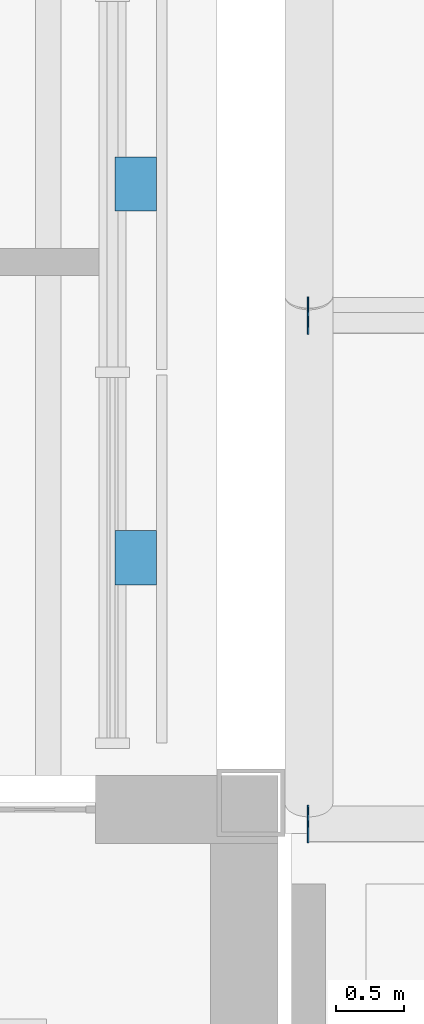
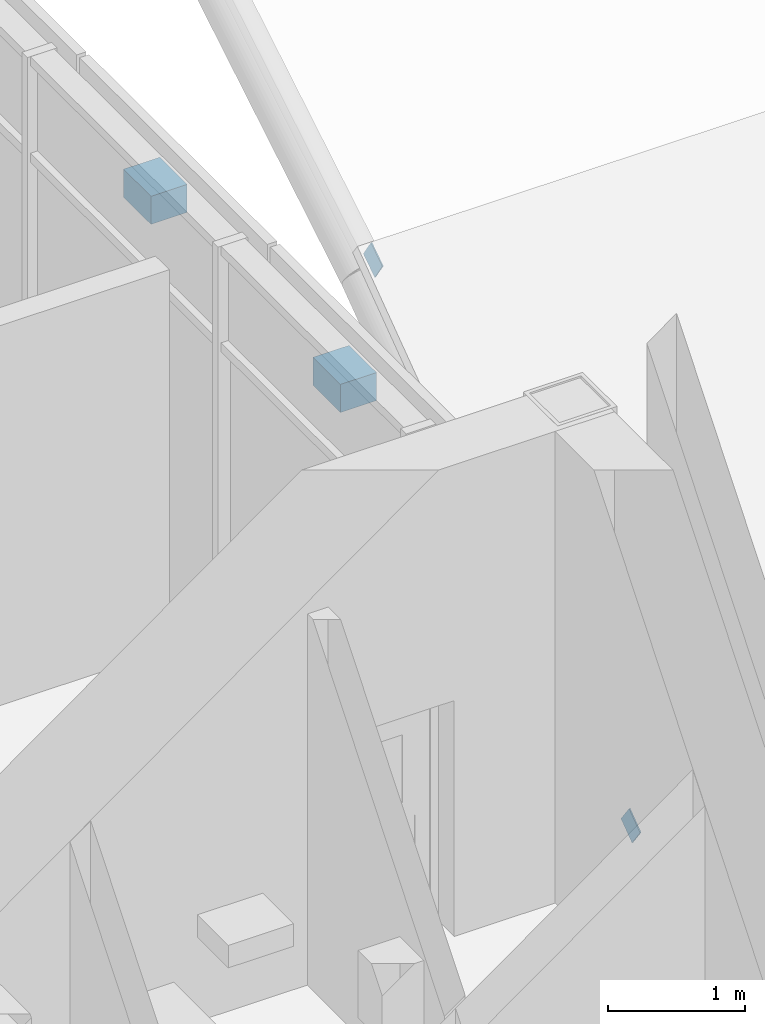
# One storey, part 116 of 153: 4 discrete accessories.
"""IFC4 building model written with IfcOpenShell, lengths in metres."""

from ifc_helpers import new_model, si_unit, direction, frame, origin, origin_2d, place, context, subcontext, project, spatial, rectangle, extrude, material, type_object, element, save


model = new_model("IFC4")

# Units and contexts
model_context = context("Model", 3, precision=1e-05, world=origin(), true_north=direction((0.0, 1.0)))
body_context = subcontext(model_context, "Body", "Model", "MODEL_VIEW")
ifc_project = project(units=[si_unit("LENGTHUNIT", "METRE"), si_unit("AREAUNIT", "SQUARE_METRE"), si_unit("VOLUMEUNIT", "CUBIC_METRE"), si_unit("PLANEANGLEUNIT", "RADIAN"), si_unit("MASSUNIT", "GRAM", prefix="KILO")], contexts=[model_context])

# Site, building, storey
site_placement = place(None, origin())
site = spatial("IfcSite", under=ifc_project, at=site_placement, CompositionType="ELEMENT")
building_placement = place(site_placement, origin())
building = spatial("IfcBuilding", under=site, at=building_placement, Name="Baradari Gate Terminus", CompositionType="ELEMENT")
storey_placement = place(building_placement, frame((0.0, 0.0, 11.699951171875)))
storey = spatial("IfcBuildingStorey", under=building, at=storey_placement, Name="L02", CompositionType="ELEMENT", Elevation=11.699951171875)

# Discrete accessories
ifc_material_1 = material(Name="Steel S355", Category="steel")
discrete_accessory_type_1 = type_object("IfcDiscreteAccessoryType", Name="Hollow section end plate EP-1 200x200x10", PredefinedType="ANCHORPLATE", material=ifc_material_1)
for number, where, z_axis, x_axis, name in (
    (1, (90.417724609375, 35.8427734375, 0.350830078125), (1.0, 0.0, 0.0), (0.0, 0.80640499586, 0.591363663621), "End plate EP-1 at the start of TR/L02/B99-PU00"),
    (2, (90.417724609375, 39.602783203125, 3.10791015625), (1.0, 0.0, 0.0), (0.0, 0.832836263724, 0.55351942859), "End plate EP-1 at the start of TR/L02/B99-PU01"),
):
    element("IfcDiscreteAccessory", number, at=place(storey_placement, frame(where, z_axis=z_axis, x_axis=x_axis)), inside=storey, type_object=discrete_accessory_type_1, Name=name, PredefinedType="ANCHORPLATE", context=body_context, shape_type="SweptSolid", body=[
        extrude(rectangle(XDim=0.199951171875, YDim=0.199951171875, at=origin_2d()), origin(), (0.0, 0.0, 1.0), 0.010009765625),
    ])
ifc_material_2 = material(Name="Stainless steel 316", Category="steel")
discrete_accessory_type_2 = type_object("IfcDiscreteAccessoryType", Name="Jali screen bracket BK-2 stainless steel", PredefinedType="BRACKET", material=ifc_material_2)
for number, where, z_axis, x_axis, name in (
    (3, (89.1474609375, 37.811767578125, 3.455078125), (0.0, 0.0, 1.0), (1.0, 0.0, 0.0), "Jali screen bracket BK-2 L02/GE1 bay 1"),
    (4, (89.1474609375, 40.574951171875, 3.455078125), (0.0, 0.0, 1.0), (1.0, 0.0, 0.0), "Jali screen bracket BK-2 L02/GE1 bay 2"),
):
    element("IfcDiscreteAccessory", number, at=place(storey_placement, frame(where, z_axis=z_axis, x_axis=x_axis)), inside=storey, type_object=discrete_accessory_type_2, Name=name, PredefinedType="BRACKET", context=body_context, shape_type="SweptSolid", body=[
        extrude(rectangle(XDim=0.304931640625, YDim=0.39990234375, at=origin_2d()), origin(), (0.0, 0.0, 1.0), 0.25),
    ])

save(model, "model.ifc")
